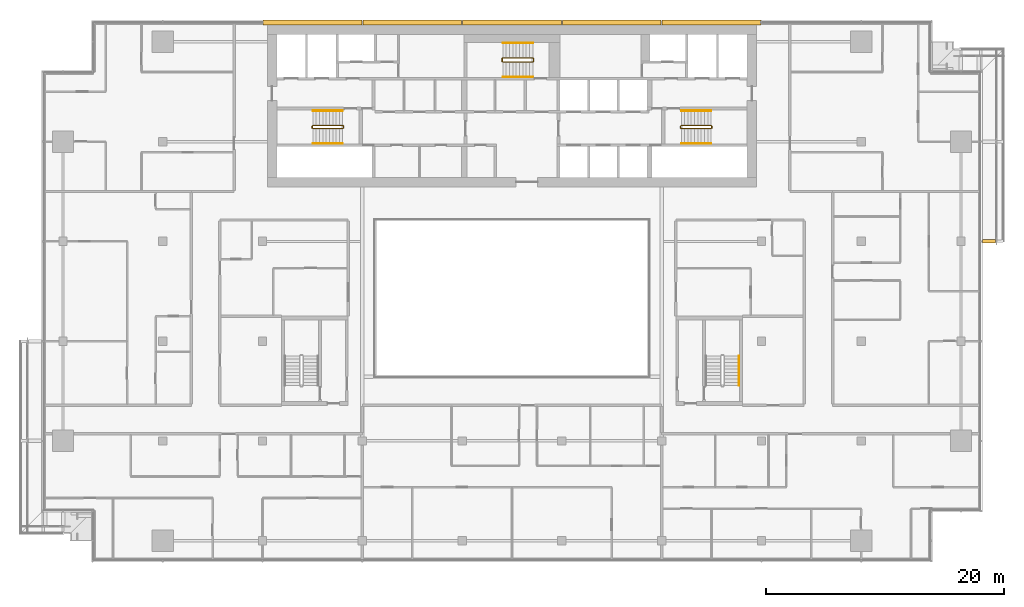
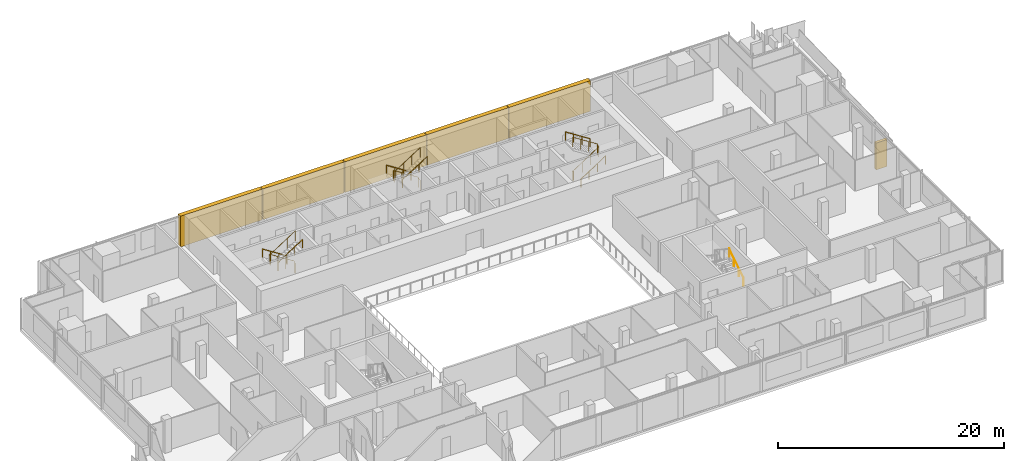
# One storey, part 26 of 29: 10 railings, 6 coverings.
"""IFC4 building model written with IfcOpenShell, lengths in metres."""

from ifc_helpers import new_model, si_unit, direction, frame, origin, origin_2d, place, context, subcontext, project, spatial, polyline, rectangle, circle, outline, extrude, material, layer, layer_set, type_object, element, save


model = new_model("IFC4")

# Units and contexts
model_context = context("Model", 3, precision=1e-05, world=origin(), true_north=direction((0.0, 1.0)))
body_context = subcontext(model_context, "Body", "Model", "MODEL_VIEW")
ifc_project = project(units=[si_unit("LENGTHUNIT", "METRE"), si_unit("AREAUNIT", "SQUARE_METRE"), si_unit("VOLUMEUNIT", "CUBIC_METRE"), si_unit("PLANEANGLEUNIT", "RADIAN"), si_unit("MASSUNIT", "GRAM", prefix="KILO")], contexts=[model_context])

# Site, building, storey
site_placement = place(None, origin())
site = spatial("IfcSite", under=ifc_project, at=site_placement, CompositionType="ELEMENT")
building_placement = place(site_placement, origin())
building = spatial("IfcBuilding", under=site, at=building_placement, Name="Saffron Gate Tower", CompositionType="ELEMENT")
storey_placement = place(building_placement, frame((0.0, 0.0, 187.050048828125)))
storey = spatial("IfcBuildingStorey", under=building, at=storey_placement, Name="L46", CompositionType="ELEMENT", Elevation=187.050048828125)

# Coverings
ifc_material_1 = material(Name="Ceramic-printed bronze insulated panel")
ifc_layer_1 = layer(ifc_material_1, 0.43994140625)
ifc_layer_set_1 = layer_set([ifc_layer_1], Name="CLD3 ceramic-printed cladding panel 440")
covering_type_1 = type_object("IfcCoveringType", Name="CLD3 ceramic-printed cladding panel 440", PredefinedType="CLADDING", material=ifc_layer_set_1)
covering_1_placement = place(storey_placement, origin())
element("IfcCovering", 1, at=covering_1_placement, inside=storey, type_object=covering_type_1, Name="CLADDING ceramic-printed panel", PredefinedType="CLADDING", context=body_context, shape_type="SweptSolid", body=[
    extrude(outline(polyline([(108.56494140625, 75.639892578125), (100.235107421875, 75.639892578125), (100.235107421875, 75.199951171875), (108.56494140625, 75.199951171875), (108.56494140625, 75.639892578125)])), origin(), (0.0, 0.0, 1.0), 3.320068359375),
])
covering_2_placement = place(storey_placement, origin())
element("IfcCovering", 2, at=covering_2_placement, inside=storey, type_object=covering_type_1, Name="CLADDING ceramic-printed panel", PredefinedType="CLADDING", context=body_context, shape_type="SweptSolid", body=[
    extrude(outline(polyline([(100.1650390625, 75.639892578125), (91.8349609375, 75.639892578125), (91.8349609375, 75.199951171875), (100.1650390625, 75.199951171875), (100.1650390625, 75.639892578125)])), origin(), (0.0, 0.0, 1.0), 3.320068359375),
])
covering_3_placement = place(storey_placement, origin())
element("IfcCovering", 3, at=covering_3_placement, inside=storey, type_object=covering_type_1, Name="CLADDING ceramic-printed panel", PredefinedType="CLADDING", context=body_context, shape_type="SweptSolid", body=[
    extrude(outline(polyline([(91.764892578125, 75.639892578125), (83.43505859375, 75.639892578125), (83.43505859375, 75.199951171875), (91.764892578125, 75.199951171875), (91.764892578125, 75.639892578125)])), origin(), (0.0, 0.0, 1.0), 3.320068359375),
])
covering_4_placement = place(storey_placement, origin())
element("IfcCovering", 4, at=covering_4_placement, inside=storey, type_object=covering_type_1, Name="CLADDING ceramic-printed panel", PredefinedType="CLADDING", context=body_context, shape_type="SweptSolid", body=[
    extrude(outline(polyline([(83.364990234375, 75.639892578125), (75.034912109375, 75.639892578125), (75.034912109375, 75.199951171875), (83.364990234375, 75.199951171875), (83.364990234375, 75.639892578125)])), origin(), (0.0, 0.0, 1.0), 3.320068359375),
])
covering_5_placement = place(storey_placement, origin())
element("IfcCovering", 5, at=covering_5_placement, inside=storey, type_object=covering_type_1, Name="CLADDING ceramic-printed panel", PredefinedType="CLADDING", context=body_context, shape_type="SweptSolid", body=[
    extrude(outline(polyline([(74.965087890625, 75.639892578125), (66.635009765625, 75.639892578125), (66.635009765625, 75.199951171875), (74.965087890625, 75.199951171875), (74.965087890625, 75.639892578125)])), origin(), (0.0, 0.0, 1.0), 3.320068359375),
])

# Railings
ifc_material_2 = material(Name="Stainless steel and laminated glass", Category="steel")
railing_type_1 = type_object("IfcRailingType", Name="CR1 Stair guard 1100", PredefinedType="GUARDRAIL", material=ifc_material_2)
railing_1_placement = place(storey_placement, frame((73.39990234375, 66.550048828125, 0.0)))
element("IfcRailing", 6, at=railing_1_placement, inside=storey, type_object=railing_type_1, Name="L46 ST-A stair guard 1", PredefinedType="GUARDRAIL", context=body_context, shape_type="SweptSolid", body=[
    extrude(circle(Radius=0.02392578125, at=origin_2d()), frame((0.0, 0.0, 1.076171875), z_axis=(0.0, 1.0, 0.0), x_axis=(-1.0, 0.0, 0.0)), (0.0, 0.0, 1.0), 0.14990234375),
    extrude(circle(Radius=0.02392578125, at=origin_2d()), frame((0.0, 0.14990234375, 1.076171875), z_axis=(-0.257669022063, 0.258932105505, 0.930892496375), x_axis=(-0.708833529934, -0.705375805398, 0.0)), (0.0, 0.0, 1.0), 0.193359375),
    extrude(circle(Radius=0.02392578125, at=origin_2d()), frame((-0.0498046875, 0.199951171875, 1.255859375), z_axis=(-0.841162588446, 0.0, 0.540782303519), x_axis=(0.0, -1.0, 0.0)), (0.0, 0.0, 1.0), 2.995849609375),
    extrude(circle(Radius=0.02392578125, at=origin_2d()), frame((-2.56982421875, 0.199951171875, 2.8759765625), z_axis=(-0.707106781187, -0.707106781187, 0.0), x_axis=(0.707106781187, -0.707106781187, 0.0)), (0.0, 0.0, 1.0), 0.07080078125),
    extrude(circle(Radius=0.02392578125, at=origin_2d()), frame((-2.619873046875, 0.14990234375, 2.8759765625), z_axis=(0.0, -1.0, 0.0), x_axis=(1.0, 0.0, 0.0)), (0.0, 0.0, 1.0), 0.14990234375),
    extrude(circle(Radius=0.02392578125, at=origin_2d()), frame((-2.619873046875, 0.0, 2.8759765625), z_axis=(0.258847668887, -0.258847668887, 0.930588936439), x_axis=(0.707106781187, 0.707106781187, 0.0)), (0.0, 0.0, 1.0), 0.193359375),
    extrude(circle(Radius=0.02392578125, at=origin_2d()), frame((-2.56982421875, -0.050048828125, 3.05615234375), z_axis=(0.841199657755, 0.0, 0.540724639528), x_axis=(0.0, 1.0, 0.0)), (0.0, 0.0, 1.0), 2.995849609375),
    extrude(circle(Radius=0.02099609375, at=origin_2d()), origin(), (0.0, 0.0, 1.0), 1.052001953125),
    extrude(circle(Radius=0.02099609375, at=origin_2d()), frame((0.0, 0.14990234375, 0.0)), (0.0, 0.0, 1.0), 1.052001953125),
    extrude(circle(Radius=0.02099609375, at=origin_2d()), frame((-0.0498046875, 0.199951171875, 0.179931640625)), (0.0, 0.0, 1.0), 1.052001953125),
    extrude(circle(Radius=0.02099609375, at=origin_2d()), frame((-0.889892578125, 0.199951171875, 0.719970703125)), (0.0, 0.0, 1.0), 1.052001953125),
    extrude(circle(Radius=0.02099609375, at=origin_2d()), frame((-1.729736328125, 0.199951171875, 1.260009765625)), (0.0, 0.0, 1.0), 1.052001953125),
    extrude(circle(Radius=0.02099609375, at=origin_2d()), frame((-2.56982421875, 0.199951171875, 1.800048828125)), (0.0, 0.0, 1.0), 1.052001953125),
    extrude(circle(Radius=0.02099609375, at=origin_2d()), frame((-2.619873046875, 0.14990234375, 1.800048828125)), (0.0, 0.0, 1.0), 1.052001953125),
    extrude(circle(Radius=0.02099609375, at=origin_2d()), frame((-2.619873046875, 0.0, 1.800048828125)), (0.0, 0.0, 1.0), 1.052001953125),
    extrude(circle(Radius=0.02099609375, at=origin_2d()), frame((-2.56982421875, -0.050048828125, 1.97998046875)), (0.0, 0.0, 1.0), 1.052001953125),
    extrude(circle(Radius=0.02099609375, at=origin_2d()), frame((-1.729736328125, -0.050048828125, 2.52001953125)), (0.0, 0.0, 1.0), 1.052001953125),
    extrude(circle(Radius=0.02099609375, at=origin_2d()), frame((-0.889892578125, -0.050048828125, 3.059814453125)), (0.0, 0.0, 1.0), 1.052001953125),
    extrude(circle(Radius=0.02099609375, at=origin_2d()), frame((-0.0498046875, -0.050048828125, 3.599853515625)), (0.0, 0.0, 1.0), 1.052001953125),
])
railing_2_placement = place(storey_placement, frame((101.800048828125, 66.699951171875, 0.0)))
element("IfcRailing", 7, at=railing_2_placement, inside=storey, type_object=railing_type_1, Name="L46 ST-B stair guard 1", PredefinedType="GUARDRAIL", context=body_context, shape_type="SweptSolid", body=[
    extrude(circle(Radius=0.02392578125, at=origin_2d()), frame((0.0, 0.0, 1.076171875), z_axis=(0.0, -1.0, 0.0), x_axis=(1.0, 0.0, 0.0)), (0.0, 0.0, 1.0), 0.14990234375),
    extrude(circle(Radius=0.02392578125, at=origin_2d()), frame((0.0, -0.14990234375, 1.076171875), z_axis=(0.258847668887, -0.258847668887, 0.930588936439), x_axis=(0.707106781187, 0.707106781187, 0.0)), (0.0, 0.0, 1.0), 0.193359375),
    extrude(circle(Radius=0.02392578125, at=origin_2d()), frame((0.050048828125, -0.199951171875, 1.255859375), z_axis=(0.841162588446, 0.0, 0.540782303519), x_axis=(0.0, 1.0, 0.0)), (0.0, 0.0, 1.0), 2.995849609375),
    extrude(circle(Radius=0.02392578125, at=origin_2d()), frame((2.570068359375, -0.199951171875, 2.8759765625), z_axis=(0.705375805398, 0.708833529934, 0.0), x_axis=(-0.708833529934, 0.705375805398, 0.0)), (0.0, 0.0, 1.0), 0.070556640625),
    extrude(circle(Radius=0.02392578125, at=origin_2d()), frame((2.619873046875, -0.14990234375, 2.8759765625), z_axis=(0.0, 1.0, 0.0), x_axis=(-1.0, 0.0, 0.0)), (0.0, 0.0, 1.0), 0.14990234375),
    extrude(circle(Radius=0.02392578125, at=origin_2d()), frame((2.619873046875, 0.0, 2.8759765625), z_axis=(-0.257669022063, 0.258932105505, 0.930892496375), x_axis=(-0.708833529934, -0.705375805398, 0.0)), (0.0, 0.0, 1.0), 0.193359375),
    extrude(circle(Radius=0.02392578125, at=origin_2d()), frame((2.570068359375, 0.050048828125, 3.05615234375), z_axis=(-0.841199657755, 0.0, 0.540724639528), x_axis=(0.0, -1.0, 0.0)), (0.0, 0.0, 1.0), 2.995849609375),
    extrude(circle(Radius=0.02099609375, at=origin_2d()), origin(), (0.0, 0.0, 1.0), 1.052001953125),
    extrude(circle(Radius=0.02099609375, at=origin_2d()), frame((0.0, -0.14990234375, 0.0)), (0.0, 0.0, 1.0), 1.052001953125),
    extrude(circle(Radius=0.02099609375, at=origin_2d()), frame((0.050048828125, -0.199951171875, 0.179931640625)), (0.0, 0.0, 1.0), 1.052001953125),
    extrude(circle(Radius=0.02099609375, at=origin_2d()), frame((0.89013671875, -0.199951171875, 0.719970703125)), (0.0, 0.0, 1.0), 1.052001953125),
    extrude(circle(Radius=0.02099609375, at=origin_2d()), frame((1.72998046875, -0.199951171875, 1.260009765625)), (0.0, 0.0, 1.0), 1.052001953125),
    extrude(circle(Radius=0.02099609375, at=origin_2d()), frame((2.570068359375, -0.199951171875, 1.800048828125)), (0.0, 0.0, 1.0), 1.052001953125),
    extrude(circle(Radius=0.02099609375, at=origin_2d()), frame((2.619873046875, -0.14990234375, 1.800048828125)), (0.0, 0.0, 1.0), 1.052001953125),
    extrude(circle(Radius=0.02099609375, at=origin_2d()), frame((2.619873046875, 0.0, 1.800048828125)), (0.0, 0.0, 1.0), 1.052001953125),
    extrude(circle(Radius=0.02099609375, at=origin_2d()), frame((2.570068359375, 0.050048828125, 1.97998046875)), (0.0, 0.0, 1.0), 1.052001953125),
    extrude(circle(Radius=0.02099609375, at=origin_2d()), frame((1.72998046875, 0.050048828125, 2.52001953125)), (0.0, 0.0, 1.0), 1.052001953125),
    extrude(circle(Radius=0.02099609375, at=origin_2d()), frame((0.89013671875, 0.050048828125, 3.059814453125)), (0.0, 0.0, 1.0), 1.052001953125),
    extrude(circle(Radius=0.02099609375, at=origin_2d()), frame((0.050048828125, 0.050048828125, 3.599853515625)), (0.0, 0.0, 1.0), 1.052001953125),
])
railing_3_placement = place(storey_placement, frame((89.39990234375, 72.14990234375, 0.0)))
element("IfcRailing", 8, at=railing_3_placement, inside=storey, type_object=railing_type_1, Name="L46 ST-C stair guard 1", PredefinedType="GUARDRAIL", context=body_context, shape_type="SweptSolid", body=[
    extrude(circle(Radius=0.02392578125, at=origin_2d()), frame((0.0, 0.0, 1.076171875), z_axis=(0.0, 1.0, 0.0), x_axis=(-1.0, 0.0, 0.0)), (0.0, 0.0, 1.0), 0.25),
    extrude(circle(Radius=0.02392578125, at=origin_2d()), frame((0.0, 0.25, 1.076171875), z_axis=(-0.257669022063, 0.258932105505, 0.930892496375), x_axis=(-0.708833529934, -0.705375805398, 0.0)), (0.0, 0.0, 1.0), 0.193359375),
    extrude(circle(Radius=0.02392578125, at=origin_2d()), frame((-0.0498046875, 0.300048828125, 1.255859375), z_axis=(-0.841162588446, 0.0, 0.540782303519), x_axis=(0.0, -1.0, 0.0)), (0.0, 0.0, 1.0), 2.995849609375),
    extrude(circle(Radius=0.02392578125, at=origin_2d()), frame((-2.56982421875, 0.300048828125, 2.8759765625), z_axis=(-0.707106781187, -0.707106781187, 0.0), x_axis=(0.707106781187, -0.707106781187, 0.0)), (0.0, 0.0, 1.0), 0.07080078125),
    extrude(circle(Radius=0.02392578125, at=origin_2d()), frame((-2.619873046875, 0.25, 2.8759765625), z_axis=(0.0, -1.0, 0.0), x_axis=(1.0, 0.0, 0.0)), (0.0, 0.0, 1.0), 0.25),
    extrude(circle(Radius=0.02392578125, at=origin_2d()), frame((-2.619873046875, 0.0, 2.8759765625), z_axis=(0.258932105505, -0.257669022063, 0.930892496375), x_axis=(0.705375805398, 0.708833529934, 0.0)), (0.0, 0.0, 1.0), 0.193359375),
    extrude(circle(Radius=0.02392578125, at=origin_2d()), frame((-2.56982421875, -0.0498046875, 3.05615234375), z_axis=(0.841199657755, 0.0, 0.540724639528), x_axis=(0.0, 1.0, 0.0)), (0.0, 0.0, 1.0), 2.995849609375),
    extrude(circle(Radius=0.02099609375, at=origin_2d()), origin(), (0.0, 0.0, 1.0), 1.052001953125),
    extrude(circle(Radius=0.02099609375, at=origin_2d()), frame((0.0, 0.25, 0.0)), (0.0, 0.0, 1.0), 1.052001953125),
    extrude(circle(Radius=0.02099609375, at=origin_2d()), frame((-0.0498046875, 0.300048828125, 0.179931640625)), (0.0, 0.0, 1.0), 1.052001953125),
    extrude(circle(Radius=0.02099609375, at=origin_2d()), frame((-0.889892578125, 0.300048828125, 0.719970703125)), (0.0, 0.0, 1.0), 1.052001953125),
    extrude(circle(Radius=0.02099609375, at=origin_2d()), frame((-1.729736328125, 0.300048828125, 1.260009765625)), (0.0, 0.0, 1.0), 1.052001953125),
    extrude(circle(Radius=0.02099609375, at=origin_2d()), frame((-2.56982421875, 0.300048828125, 1.800048828125)), (0.0, 0.0, 1.0), 1.052001953125),
    extrude(circle(Radius=0.02099609375, at=origin_2d()), frame((-2.619873046875, 0.25, 1.800048828125)), (0.0, 0.0, 1.0), 1.052001953125),
    extrude(circle(Radius=0.02099609375, at=origin_2d()), frame((-2.619873046875, 0.0, 1.800048828125)), (0.0, 0.0, 1.0), 1.052001953125),
    extrude(circle(Radius=0.02099609375, at=origin_2d()), frame((-2.56982421875, -0.0498046875, 1.97998046875)), (0.0, 0.0, 1.0), 1.052001953125),
    extrude(circle(Radius=0.02099609375, at=origin_2d()), frame((-1.729736328125, -0.0498046875, 2.52001953125)), (0.0, 0.0, 1.0), 1.052001953125),
    extrude(circle(Radius=0.02099609375, at=origin_2d()), frame((-0.889892578125, -0.0498046875, 3.059814453125)), (0.0, 0.0, 1.0), 1.052001953125),
    extrude(circle(Radius=0.02099609375, at=origin_2d()), frame((-0.0498046875, -0.0498046875, 3.599853515625)), (0.0, 0.0, 1.0), 1.052001953125),
])
ifc_material_3 = material(Name="Stainless steel", Category="steel")
railing_type_2 = type_object("IfcRailingType", Name="CR2 Stair handrail 900", PredefinedType="HANDRAIL", material=ifc_material_3)
railing_4_placement = place(storey_placement, frame((73.35009765625, 68.0, 0.179931640625)))
element("IfcRailing", 9, at=railing_4_placement, inside=storey, type_object=railing_type_2, Name="L46 ST-A stair handrail 1", PredefinedType="HANDRAIL", context=body_context, shape_type="SweptSolid", body=[
    extrude(circle(Radius=0.02392578125, at=origin_2d()), frame((0.0, 0.0, 0.8759765625), z_axis=(-0.841162588446, 0.0, 0.540782303519), x_axis=(0.0, -1.0, 0.0)), (0.0, 0.0, 1.0), 2.995849609375),
    extrude(circle(Radius=0.02099609375, at=origin_2d()), origin(), (0.0, 0.0, 1.0), 0.851806640625),
    extrude(circle(Radius=0.02099609375, at=origin_2d()), frame((-0.840087890625, 0.0, 0.5400390625)), (0.0, 0.0, 1.0), 0.851806640625),
    extrude(circle(Radius=0.02099609375, at=origin_2d()), frame((-1.679931640625, 0.0, 1.080078125)), (0.0, 0.0, 1.0), 0.851806640625),
    extrude(circle(Radius=0.02099609375, at=origin_2d()), frame((-2.52001953125, 0.0, 1.6201171875)), (0.0, 0.0, 1.0), 0.851806640625),
])
railing_5_placement = place(storey_placement, frame((70.830078125, 65.25, 1.97998046875)))
element("IfcRailing", 10, at=railing_5_placement, inside=storey, type_object=railing_type_2, Name="L46 ST-A stair handrail 2", PredefinedType="HANDRAIL", context=body_context, shape_type="SweptSolid", body=[
    extrude(circle(Radius=0.02392578125, at=origin_2d()), frame((0.0, 0.0, 0.8759765625), z_axis=(0.841199657755, 0.0, 0.540724639528), x_axis=(0.0, 1.0, 0.0)), (0.0, 0.0, 1.0), 2.995849609375),
    extrude(circle(Radius=0.02099609375, at=origin_2d()), origin(), (0.0, 0.0, 1.0), 0.851806640625),
    extrude(circle(Radius=0.02099609375, at=origin_2d()), frame((0.840087890625, 0.0, 0.5400390625)), (0.0, 0.0, 1.0), 0.851806640625),
    extrude(circle(Radius=0.02099609375, at=origin_2d()), frame((1.679931640625, 0.0, 1.079833984375)), (0.0, 0.0, 1.0), 0.851806640625),
    extrude(circle(Radius=0.02099609375, at=origin_2d()), frame((2.52001953125, 0.0, 1.619873046875)), (0.0, 0.0, 1.0), 0.851806640625),
])
railing_6_placement = place(storey_placement, frame((101.85009765625, 65.25, 0.179931640625)))
element("IfcRailing", 11, at=railing_6_placement, inside=storey, type_object=railing_type_2, Name="L46 ST-B stair handrail 1", PredefinedType="HANDRAIL", context=body_context, shape_type="SweptSolid", body=[
    extrude(circle(Radius=0.02392578125, at=origin_2d()), frame((0.0, 0.0, 0.8759765625), z_axis=(0.841162588446, 0.0, 0.540782303519), x_axis=(0.0, 1.0, 0.0)), (0.0, 0.0, 1.0), 2.995849609375),
    extrude(circle(Radius=0.02099609375, at=origin_2d()), origin(), (0.0, 0.0, 1.0), 0.851806640625),
    extrude(circle(Radius=0.02099609375, at=origin_2d()), frame((0.840087890625, 0.0, 0.5400390625)), (0.0, 0.0, 1.0), 0.851806640625),
    extrude(circle(Radius=0.02099609375, at=origin_2d()), frame((1.679931640625, 0.0, 1.080078125)), (0.0, 0.0, 1.0), 0.851806640625),
    extrude(circle(Radius=0.02099609375, at=origin_2d()), frame((2.52001953125, 0.0, 1.6201171875)), (0.0, 0.0, 1.0), 0.851806640625),
])
railing_7_placement = place(storey_placement, frame((104.3701171875, 68.0, 1.97998046875)))
element("IfcRailing", 12, at=railing_7_placement, inside=storey, type_object=railing_type_2, Name="L46 ST-B stair handrail 2", PredefinedType="HANDRAIL", context=body_context, shape_type="SweptSolid", body=[
    extrude(circle(Radius=0.02392578125, at=origin_2d()), frame((0.0, 0.0, 0.8759765625), z_axis=(-0.841199657755, 0.0, 0.540724639528), x_axis=(0.0, -1.0, 0.0)), (0.0, 0.0, 1.0), 2.995849609375),
    extrude(circle(Radius=0.02099609375, at=origin_2d()), origin(), (0.0, 0.0, 1.0), 0.851806640625),
    extrude(circle(Radius=0.02099609375, at=origin_2d()), frame((-0.840087890625, 0.0, 0.5400390625)), (0.0, 0.0, 1.0), 0.851806640625),
    extrude(circle(Radius=0.02099609375, at=origin_2d()), frame((-1.679931640625, 0.0, 1.079833984375)), (0.0, 0.0, 1.0), 0.851806640625),
    extrude(circle(Radius=0.02099609375, at=origin_2d()), frame((-2.52001953125, 0.0, 1.619873046875)), (0.0, 0.0, 1.0), 0.851806640625),
])
railing_8_placement = place(storey_placement, frame((89.35009765625, 73.699951171875, 0.179931640625)))
element("IfcRailing", 13, at=railing_8_placement, inside=storey, type_object=railing_type_2, Name="L46 ST-C stair handrail 1", PredefinedType="HANDRAIL", context=body_context, shape_type="SweptSolid", body=[
    extrude(circle(Radius=0.02392578125, at=origin_2d()), frame((0.0, 0.0, 0.8759765625), z_axis=(-0.841162588446, 0.0, 0.540782303519), x_axis=(0.0, -1.0, 0.0)), (0.0, 0.0, 1.0), 2.995849609375),
    extrude(circle(Radius=0.02099609375, at=origin_2d()), origin(), (0.0, 0.0, 1.0), 0.851806640625),
    extrude(circle(Radius=0.02099609375, at=origin_2d()), frame((-0.840087890625, 0.0, 0.5400390625)), (0.0, 0.0, 1.0), 0.851806640625),
    extrude(circle(Radius=0.02099609375, at=origin_2d()), frame((-1.679931640625, 0.0, 1.080078125)), (0.0, 0.0, 1.0), 0.851806640625),
    extrude(circle(Radius=0.02099609375, at=origin_2d()), frame((-2.52001953125, 0.0, 1.6201171875)), (0.0, 0.0, 1.0), 0.851806640625),
])
railing_9_placement = place(storey_placement, frame((86.830078125, 70.85009765625, 1.97998046875)))
element("IfcRailing", 14, at=railing_9_placement, inside=storey, type_object=railing_type_2, Name="L46 ST-C stair handrail 2", PredefinedType="HANDRAIL", context=body_context, shape_type="SweptSolid", body=[
    extrude(circle(Radius=0.02392578125, at=origin_2d()), frame((0.0, 0.0, 0.8759765625), z_axis=(0.841199657755, 0.0, 0.540724639528), x_axis=(0.0, 1.0, 0.0)), (0.0, 0.0, 1.0), 2.995849609375),
    extrude(circle(Radius=0.02099609375, at=origin_2d()), origin(), (0.0, 0.0, 1.0), 0.851806640625),
    extrude(circle(Radius=0.02099609375, at=origin_2d()), frame((0.840087890625, 0.0, 0.5400390625)), (0.0, 0.0, 1.0), 0.851806640625),
    extrude(circle(Radius=0.02099609375, at=origin_2d()), frame((1.679931640625, 0.0, 1.079833984375)), (0.0, 0.0, 1.0), 0.851806640625),
    extrude(circle(Radius=0.02099609375, at=origin_2d()), frame((2.52001953125, 0.0, 1.619873046875)), (0.0, 0.0, 1.0), 0.851806640625),
])
railing_10_placement = place(storey_placement, frame((106.699951171875, 44.85009765625, 0.179931640625)))
element("IfcRailing", 15, at=railing_10_placement, inside=storey, type_object=railing_type_2, Name="L46 ST-E stair handrail 1", PredefinedType="HANDRAIL", context=body_context, shape_type="SweptSolid", body=[
    extrude(circle(Radius=0.02392578125, at=origin_2d()), frame((0.0, 0.0, 0.8759765625), z_axis=(0.0, 0.841162588446, 0.540782303519), x_axis=(-1.0, 0.0, 0.0)), (0.0, 0.0, 1.0), 2.995849609375),
    extrude(circle(Radius=0.02099609375, at=origin_2d()), origin(), (0.0, 0.0, 1.0), 0.851806640625),
    extrude(circle(Radius=0.02099609375, at=origin_2d()), frame((0.0, 0.840087890625, 0.5400390625)), (0.0, 0.0, 1.0), 0.851806640625),
    extrude(circle(Radius=0.02099609375, at=origin_2d()), frame((0.0, 1.679931640625, 1.080078125)), (0.0, 0.0, 1.0), 0.851806640625),
    extrude(circle(Radius=0.02099609375, at=origin_2d()), frame((0.0, 2.52001953125, 1.6201171875)), (0.0, 0.0, 1.0), 0.851806640625),
])

# Covering
ifc_material_4 = material(Name="Timber, thermally modified ash", Category="wood")
ifc_layer_2 = layer(ifc_material_4, 0.300048828125)
ifc_layer_set_2 = layer_set([ifc_layer_2], Name="LD3 ledge riser fin")
covering_type_2 = type_object("IfcCoveringType", Name="LD3 ledge riser fin", PredefinedType="CLADDING", material=ifc_layer_set_2)
covering_6_placement = place(storey_placement, frame((127.760009765625, 57.0, -1.75732421875), z_axis=(0.0, 0.0, 1.0), x_axis=(0.0, 1.0, 0.0)))
element("IfcCovering", 16, at=covering_6_placement, inside=storey, type_object=covering_type_2, Name="LEDGE riser fin", PredefinedType="CLADDING", context=body_context, shape_type="SweptSolid", body=[
    extrude(rectangle(XDim=0.300048828125, YDim=1.1201171875, at=origin_2d()), origin(), (0.0, 0.0, 1.0), 2.900390625),
])

save(model, "model.ifc")
